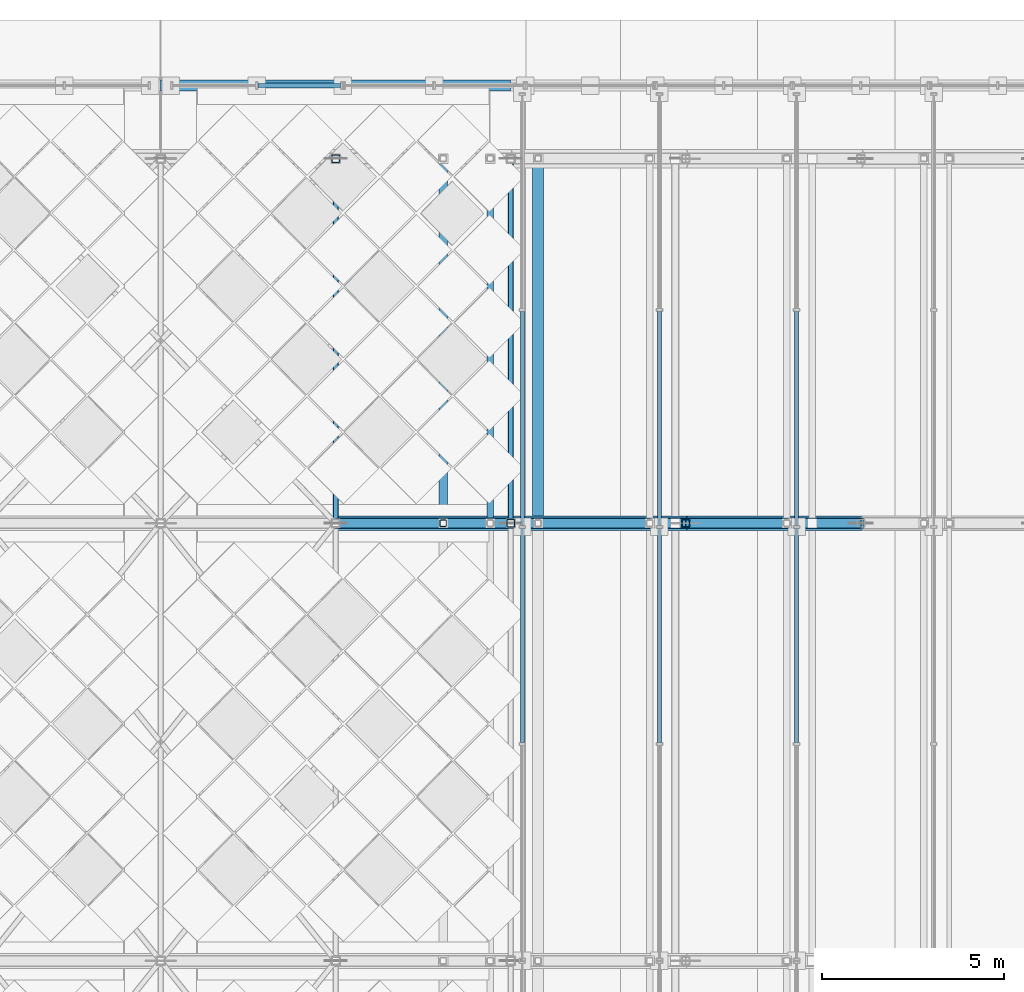
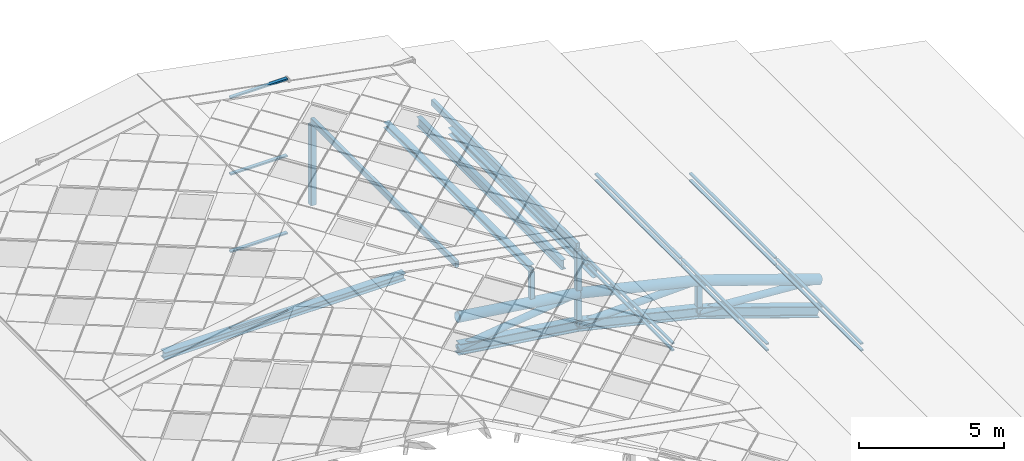
# One storey, part 38 of 117: 34 members, 1 beam, 4 elements without a shape of their own.
"""IFC4 building model written with IfcOpenShell, lengths in metres."""

from ifc_helpers import new_model, si_unit, direction, frame, origin, origin_2d, place, context, subcontext, project, spatial, hollow_rectangle, hollow_circle, i_section, extrude, material, material_profile, profile_set, type_object, element, aggregate, save


model = new_model("IFC4")

# Units and contexts
model_context = context("Model", 3, precision=1e-05, world=origin(), true_north=direction((0.0, 1.0)))
body_context = subcontext(model_context, "Body", "Model", "MODEL_VIEW")
ifc_project = project(units=[si_unit("LENGTHUNIT", "METRE"), si_unit("AREAUNIT", "SQUARE_METRE"), si_unit("VOLUMEUNIT", "CUBIC_METRE"), si_unit("PLANEANGLEUNIT", "RADIAN"), si_unit("MASSUNIT", "GRAM", prefix="KILO")], contexts=[model_context])

# Site, building, storey
site_placement = place(None, origin())
site = spatial("IfcSite", under=ifc_project, at=site_placement, CompositionType="ELEMENT")
building_placement = place(site_placement, origin())
building = spatial("IfcBuilding", under=site, at=building_placement, Name="Merenkruunu Market Hall", CompositionType="ELEMENT")
storey_placement = place(building_placement, frame((0.0, 0.0, 22.800048828125)))
storey = spatial("IfcBuildingStorey", under=building, at=storey_placement, Name="RF", CompositionType="ELEMENT", Elevation=22.800048828125)

# Members
ifc_material_1 = material(Name="Steel S355ML", Category="steel")
ifc_material_profile_1 = material_profile(ifc_material_1, hollow_circle(Radius=0.203125, WallThickness=0.01611328125, at=origin_2d()), Name="CHS 406.4x16")
ifc_profile_set_1 = profile_set([ifc_material_profile_1], Name="Steel S355ML")
member_type_1 = type_object("IfcMemberType", Name="Arch Truss Chord TC02", PredefinedType="CHORD", material=ifc_profile_set_1)
member_1_placement = place(storey_placement, frame((33.60009765625, 99.60009765625, -1.66796875), z_axis=(0.99033759622, 0.0, -0.138677487406), x_axis=(0.0, 1.0, 0.0)))
element("IfcMember", 1, at=member_1_placement, inside=storey, type_object=member_type_1, Name="TRUSS-AT-8-TOP-08", PredefinedType="CHORD", context=body_context, shape_type="SweptSolid", body=[
    extrude(hollow_circle(Radius=0.203125, WallThickness=0.01611328125, at=origin_2d()), origin(), (0.0, 0.0, 1.0), 4.8466796875),
])
member_2_placement = place(storey_placement, frame((38.39990234375, 99.60009765625, -2.340087890625), z_axis=(0.972941974064, 0.0, -0.231049594471), x_axis=(0.0, 1.0, 0.0)))
element("IfcMember", 2, at=member_2_placement, inside=storey, type_object=member_type_1, Name="TRUSS-AT-8-TOP-09", PredefinedType="CHORD", context=body_context, shape_type="SweptSolid", body=[
    extrude(hollow_circle(Radius=0.203125, WallThickness=0.01611328125, at=origin_2d()), origin(), (0.0, 0.0, 1.0), 4.93359375),
])
member_3_placement = place(storey_placement, frame((43.199951171875, 99.60009765625, -3.47998046875), z_axis=(0.946224865418, 0.0, -0.323509666107), x_axis=(0.0, 1.0, 0.0)))
element("IfcMember", 3, at=member_3_placement, inside=storey, type_object=member_type_1, Name="TRUSS-AT-8-TOP-10", PredefinedType="CHORD", context=body_context, shape_type="SweptSolid", body=[
    extrude(hollow_circle(Radius=0.203125, WallThickness=0.01611328125, at=origin_2d()), origin(), (0.0, 0.0, 1.0), 5.07275390625),
])
ifc_material_profile_2 = material_profile(ifc_material_1, i_section(OverallWidth=0.300048828125, OverallDepth=0.449951171875, WebThickness=0.013916015625, FlangeThickness=0.02587890625, FilletRadius=0.027099609375, at=origin_2d()), Name="HEB 450")
ifc_profile_set_2 = profile_set([ifc_material_profile_2], Name="Steel S355ML")
member_type_2 = type_object("IfcMemberType", Name="Arch Truss Chord TC04", PredefinedType="CHORD", material=ifc_profile_set_2)
member_4_placement = place(storey_placement, frame((33.60009765625, 99.60009765625, -2.968017578125), z_axis=(0.99033759622, 0.0, -0.138677487406), x_axis=(0.0, 1.0, 0.0)))
element("IfcMember", 4, at=member_4_placement, inside=storey, type_object=member_type_2, Name="TRUSS-AT-8-BOT-08", PredefinedType="CHORD", context=body_context, shape_type="SweptSolid", body=[
    extrude(i_section(OverallWidth=0.300048828125, OverallDepth=0.449951171875, WebThickness=0.013916015625, FlangeThickness=0.02587890625, FilletRadius=0.027099609375, at=origin_2d()), origin(), (0.0, 0.0, 1.0), 4.8466796875),
])
member_5_placement = place(storey_placement, frame((38.39990234375, 99.60009765625, -3.64013671875), z_axis=(0.972941974064, 0.0, -0.231049594471), x_axis=(0.0, 1.0, 0.0)))
element("IfcMember", 5, at=member_5_placement, inside=storey, type_object=member_type_2, Name="TRUSS-AT-8-BOT-09", PredefinedType="CHORD", context=body_context, shape_type="SweptSolid", body=[
    extrude(i_section(OverallWidth=0.300048828125, OverallDepth=0.449951171875, WebThickness=0.013916015625, FlangeThickness=0.02587890625, FilletRadius=0.027099609375, at=origin_2d()), origin(), (0.0, 0.0, 1.0), 4.93359375),
])
member_6_placement = place(storey_placement, frame((43.199951171875, 99.60009765625, -4.780029296875), z_axis=(0.946224865418, 0.0, -0.323509666107), x_axis=(0.0, 1.0, 0.0)))
element("IfcMember", 6, at=member_6_placement, inside=storey, type_object=member_type_2, Name="TRUSS-AT-8-BOT-10", PredefinedType="CHORD", context=body_context, shape_type="SweptSolid", body=[
    extrude(i_section(OverallWidth=0.300048828125, OverallDepth=0.449951171875, WebThickness=0.013916015625, FlangeThickness=0.02587890625, FilletRadius=0.027099609375, at=origin_2d()), origin(), (0.0, 0.0, 1.0), 5.07275390625),
])

# Curtain wall, members
ifc_material_2 = material(Name="Powder-coated aluminium", Category="aluminium")
curtain_wall_type_1 = type_object("IfcCurtainWallType", Name="Glazed Curtain Wall CW18", PredefinedType="USERDEFINED", material=ifc_material_2)
curtain_wall_1_placement = place(storey_placement, origin())
curtain_wall_1 = element("IfcCurtainWall", 7, at=curtain_wall_1_placement, inside=storey, type_object=curtain_wall_type_1, Name="CW-RF-CWM03-074", ObjectType="GLAZED_FACADE", PredefinedType="USERDEFINED")
ifc_material_profile_3 = material_profile(ifc_material_2, hollow_rectangle(XDim=0.06005859375, YDim=0.139892578125, WallThickness=0.00390625, at=origin_2d()), Name="ALU 60x140x4")
ifc_profile_set_3 = profile_set([ifc_material_profile_3], Name="Powder-coated aluminium")
member_type_3 = type_object("IfcMemberType", Name="Curtain Wall Transom CWT02", PredefinedType="USERDEFINED", material=ifc_profile_set_3)
member_7_placement = place(storey_placement, frame((31.469970703125, 111.60009765625, -8.66015625), z_axis=(1.0, 0.0, 0.0), x_axis=(0.0, 0.0, 1.0)))
member_7 = element("IfcMember", 8, at=member_7_placement, type_object=member_type_3, Name="CW18 transom 2.1", ObjectType="TRANSOM", PredefinedType="USERDEFINED", context=body_context, shape_type="SweptSolid", body=[
    extrude(hollow_rectangle(XDim=0.06005859375, YDim=0.139892578125, WallThickness=0.00390625, at=origin_2d()), origin(), (0.0, 0.0, 1.0), 2.27001953125),
])
member_8_placement = place(storey_placement, frame((31.469970703125, 111.60009765625, -5.43310546875), z_axis=(1.0, 0.0, 0.0), x_axis=(0.0, 0.0, 1.0)))
member_8 = element("IfcMember", 9, at=member_8_placement, type_object=member_type_3, Name="CW18 transom 2.2", ObjectType="TRANSOM", PredefinedType="USERDEFINED", context=body_context, shape_type="SweptSolid", body=[
    extrude(hollow_rectangle(XDim=0.06005859375, YDim=0.139892578125, WallThickness=0.00390625, at=origin_2d()), origin(), (0.0, 0.0, 1.0), 2.27001953125),
])
member_9_placement = place(storey_placement, frame((31.469970703125, 111.60009765625, -2.177001953125), z_axis=(1.0, 0.0, 0.0), x_axis=(0.0, 0.0, 1.0)))
member_9 = element("IfcMember", 10, at=member_9_placement, type_object=member_type_3, Name="CW18 transom 2.3", ObjectType="TRANSOM", PredefinedType="USERDEFINED", context=body_context, shape_type="SweptSolid", body=[
    extrude(hollow_rectangle(XDim=0.06005859375, YDim=0.139892578125, WallThickness=0.00390625, at=origin_2d()), origin(), (0.0, 0.0, 1.0), 2.27001953125),
])
member_10_placement = place(storey_placement, frame((31.469970703125, 111.60009765625, 1.050048828125), z_axis=(1.0, 0.0, 0.0), x_axis=(0.0, 0.0, 1.0)))
member_10 = element("IfcMember", 11, at=member_10_placement, type_object=member_type_3, Name="CW18 transom 2.4", ObjectType="TRANSOM", PredefinedType="USERDEFINED", context=body_context, shape_type="SweptSolid", body=[
    extrude(hollow_rectangle(XDim=0.06005859375, YDim=0.139892578125, WallThickness=0.00390625, at=origin_2d()), origin(), (0.0, 0.0, 1.0), 2.27001953125),
])
aggregate(curtain_wall_1, [member_7, member_8, member_9, member_10])

curtain_wall_type_2 = type_object("IfcCurtainWallType", Name="Clerestory Curtain Band CL05", PredefinedType="USERDEFINED", material=ifc_material_2)
curtain_wall_2_placement = place(storey_placement, origin())
curtain_wall_2 = element("IfcCurtainWall", 12, at=curtain_wall_2_placement, inside=storey, type_object=curtain_wall_type_2, Name="CW-RF-CWM04-104", ObjectType="CLERESTORY_BAND", PredefinedType="USERDEFINED")
ifc_material_profile_4 = material_profile(ifc_material_2, hollow_rectangle(XDim=0.06005859375, YDim=0.110107421875, WallThickness=0.00390625, at=origin_2d()), Name="ALU 60x110x4")
ifc_profile_set_4 = profile_set([ifc_material_profile_4], Name="Powder-coated aluminium")
member_type_4 = type_object("IfcMemberType", Name="Curtain Wall Transom CWT03", PredefinedType="USERDEFINED", material=ifc_profile_set_4)
member_11_placement = place(storey_placement, frame((46.239990234375, 105.4150390625, -3.85205078125), z_axis=(0.0, -1.0, 0.0), x_axis=(0.0, 0.0, 1.0)))
member_11 = element("IfcMember", 13, at=member_11_placement, type_object=member_type_4, Name="CL05 transom 2.1", ObjectType="TRANSOM", PredefinedType="USERDEFINED", context=body_context, shape_type="SweptSolid", body=[
    extrude(hollow_rectangle(XDim=0.06005859375, YDim=0.110107421875, WallThickness=0.00390625, at=origin_2d()), origin(), (0.0, 0.0, 1.0), 5.880126953125),
])
member_12_placement = place(storey_placement, frame((46.239990234375, 105.4150390625, -3.56396484375), z_axis=(0.0, -1.0, 0.0), x_axis=(0.0, 0.0, 1.0)))
member_12 = element("IfcMember", 14, at=member_12_placement, type_object=member_type_4, Name="CL05 transom 2.2", ObjectType="TRANSOM", PredefinedType="USERDEFINED", context=body_context, shape_type="SweptSolid", body=[
    extrude(hollow_rectangle(XDim=0.06005859375, YDim=0.110107421875, WallThickness=0.00390625, at=origin_2d()), origin(), (0.0, 0.0, 1.0), 5.880126953125),
])
member_13_placement = place(storey_placement, frame((46.239990234375, 99.465087890625, -3.85205078125), z_axis=(0.0, -1.0, 0.0), x_axis=(0.0, 0.0, 1.0)))
member_13 = element("IfcMember", 15, at=member_13_placement, type_object=member_type_4, Name="CL05 transom 3.1", ObjectType="TRANSOM", PredefinedType="USERDEFINED", context=body_context, shape_type="SweptSolid", body=[
    extrude(hollow_rectangle(XDim=0.06005859375, YDim=0.110107421875, WallThickness=0.00390625, at=origin_2d()), origin(), (0.0, 0.0, 1.0), 5.880126953125),
])
member_14_placement = place(storey_placement, frame((46.239990234375, 99.465087890625, -3.56396484375), z_axis=(0.0, -1.0, 0.0), x_axis=(0.0, 0.0, 1.0)))
member_14 = element("IfcMember", 16, at=member_14_placement, type_object=member_type_4, Name="CL05 transom 3.2", ObjectType="TRANSOM", PredefinedType="USERDEFINED", context=body_context, shape_type="SweptSolid", body=[
    extrude(hollow_rectangle(XDim=0.06005859375, YDim=0.110107421875, WallThickness=0.00390625, at=origin_2d()), origin(), (0.0, 0.0, 1.0), 5.880126953125),
])
aggregate(curtain_wall_2, [member_11, member_12, member_13, member_14])

curtain_wall_3_placement = place(storey_placement, origin())
curtain_wall_3 = element("IfcCurtainWall", 17, at=curtain_wall_3_placement, inside=storey, type_object=curtain_wall_type_2, Name="CW-RF-CWM04-112", ObjectType="CLERESTORY_BAND", PredefinedType="USERDEFINED")
member_15_placement = place(storey_placement, frame((42.47998046875, 105.4150390625, -2.531982421875), z_axis=(0.0, -1.0, 0.0), x_axis=(0.0, 0.0, 1.0)))
member_15 = element("IfcMember", 18, at=member_15_placement, type_object=member_type_4, Name="CL05 transom 2.1", ObjectType="TRANSOM", PredefinedType="USERDEFINED", context=body_context, shape_type="SweptSolid", body=[
    extrude(hollow_rectangle(XDim=0.06005859375, YDim=0.110107421875, WallThickness=0.00390625, at=origin_2d()), origin(), (0.0, 0.0, 1.0), 5.880126953125),
])
member_16_placement = place(storey_placement, frame((42.47998046875, 105.4150390625, -2.26513671875), z_axis=(0.0, -1.0, 0.0), x_axis=(0.0, 0.0, 1.0)))
member_16 = element("IfcMember", 19, at=member_16_placement, type_object=member_type_4, Name="CL05 transom 2.2", ObjectType="TRANSOM", PredefinedType="USERDEFINED", context=body_context, shape_type="SweptSolid", body=[
    extrude(hollow_rectangle(XDim=0.06005859375, YDim=0.110107421875, WallThickness=0.00390625, at=origin_2d()), origin(), (0.0, 0.0, 1.0), 5.880126953125),
])
member_17_placement = place(storey_placement, frame((42.47998046875, 99.465087890625, -2.531982421875), z_axis=(0.0, -1.0, 0.0), x_axis=(0.0, 0.0, 1.0)))
member_17 = element("IfcMember", 20, at=member_17_placement, type_object=member_type_4, Name="CL05 transom 3.1", ObjectType="TRANSOM", PredefinedType="USERDEFINED", context=body_context, shape_type="SweptSolid", body=[
    extrude(hollow_rectangle(XDim=0.06005859375, YDim=0.110107421875, WallThickness=0.00390625, at=origin_2d()), origin(), (0.0, 0.0, 1.0), 5.880126953125),
])
member_18_placement = place(storey_placement, frame((42.47998046875, 99.465087890625, -2.26513671875), z_axis=(0.0, -1.0, 0.0), x_axis=(0.0, 0.0, 1.0)))
member_18 = element("IfcMember", 21, at=member_18_placement, type_object=member_type_4, Name="CL05 transom 3.2", ObjectType="TRANSOM", PredefinedType="USERDEFINED", context=body_context, shape_type="SweptSolid", body=[
    extrude(hollow_rectangle(XDim=0.06005859375, YDim=0.110107421875, WallThickness=0.00390625, at=origin_2d()), origin(), (0.0, 0.0, 1.0), 5.880126953125),
])
aggregate(curtain_wall_3, [member_15, member_16, member_17, member_18])

curtain_wall_4_placement = place(storey_placement, origin())
curtain_wall_4 = element("IfcCurtainWall", 22, at=curtain_wall_4_placement, inside=storey, type_object=curtain_wall_type_2, Name="CW-RF-CWM04-120", ObjectType="CLERESTORY_BAND", PredefinedType="USERDEFINED")
member_19_placement = place(storey_placement, frame((38.719970703125, 105.4150390625, -1.212158203125), z_axis=(0.0, -1.0, 0.0), x_axis=(0.0, 0.0, 1.0)))
member_19 = element("IfcMember", 23, at=member_19_placement, type_object=member_type_4, Name="CL05 transom 2.1", ObjectType="TRANSOM", PredefinedType="USERDEFINED", context=body_context, shape_type="SweptSolid", body=[
    extrude(hollow_rectangle(XDim=0.06005859375, YDim=0.110107421875, WallThickness=0.00390625, at=origin_2d()), origin(), (0.0, 0.0, 1.0), 5.880126953125),
])
member_20_placement = place(storey_placement, frame((38.719970703125, 105.4150390625, -0.924072265625), z_axis=(0.0, -1.0, 0.0), x_axis=(0.0, 0.0, 1.0)))
member_20 = element("IfcMember", 24, at=member_20_placement, type_object=member_type_4, Name="CL05 transom 2.2", ObjectType="TRANSOM", PredefinedType="USERDEFINED", context=body_context, shape_type="SweptSolid", body=[
    extrude(hollow_rectangle(XDim=0.06005859375, YDim=0.110107421875, WallThickness=0.00390625, at=origin_2d()), origin(), (0.0, 0.0, 1.0), 5.880126953125),
])
member_21_placement = place(storey_placement, frame((38.719970703125, 99.465087890625, -1.212158203125), z_axis=(0.0, -1.0, 0.0), x_axis=(0.0, 0.0, 1.0)))
member_21 = element("IfcMember", 25, at=member_21_placement, type_object=member_type_4, Name="CL05 transom 3.1", ObjectType="TRANSOM", PredefinedType="USERDEFINED", context=body_context, shape_type="SweptSolid", body=[
    extrude(hollow_rectangle(XDim=0.06005859375, YDim=0.110107421875, WallThickness=0.00390625, at=origin_2d()), origin(), (0.0, 0.0, 1.0), 5.880126953125),
])
member_22_placement = place(storey_placement, frame((38.719970703125, 99.465087890625, -0.924072265625), z_axis=(0.0, -1.0, 0.0), x_axis=(0.0, 0.0, 1.0)))
member_22 = element("IfcMember", 26, at=member_22_placement, type_object=member_type_4, Name="CL05 transom 3.2", ObjectType="TRANSOM", PredefinedType="USERDEFINED", context=body_context, shape_type="SweptSolid", body=[
    extrude(hollow_rectangle(XDim=0.06005859375, YDim=0.110107421875, WallThickness=0.00390625, at=origin_2d()), origin(), (0.0, 0.0, 1.0), 5.880126953125),
])
aggregate(curtain_wall_4, [member_19, member_20, member_21, member_22])

# Members
ifc_material_profile_5 = material_profile(ifc_material_1, hollow_circle(Radius=0.136474609375, WallThickness=0.012451171875, at=origin_2d()), Name="CHS 273x12.5")
ifc_profile_set_5 = profile_set([ifc_material_profile_5], Name="Steel S355ML")
member_type_5 = type_object("IfcMemberType", Name="Diagonal Sway Brace BR02", PredefinedType="BRACE", material=ifc_profile_set_5)
member_23_placement = place(storey_placement, frame((33.60009765625, 99.60009765625, -2.968017578125), z_axis=(0.99155084109, 0.0, 0.129718655304), x_axis=(0.0, 1.0, 0.0)))
element("IfcMember", 27, at=member_23_placement, inside=storey, type_object=member_type_5, Name="TRUSS-AT-8-DIAG-08", PredefinedType="BRACE", context=body_context, shape_type="SweptSolid", body=[
    extrude(hollow_circle(Radius=0.136474609375, WallThickness=0.012451171875, at=origin_2d()), origin(), (0.0, 0.0, 1.0), 4.8408203125),
])
member_24_placement = place(storey_placement, frame((38.39990234375, 99.60009765625, -3.64013671875), z_axis=(0.999443834494, 0.0, 0.033346989239), x_axis=(0.0, 1.0, 0.0)))
element("IfcMember", 28, at=member_24_placement, inside=storey, type_object=member_type_5, Name="TRUSS-AT-8-DIAG-09", PredefinedType="BRACE", context=body_context, shape_type="SweptSolid", body=[
    extrude(hollow_circle(Radius=0.136474609375, WallThickness=0.012451171875, at=origin_2d()), origin(), (0.0, 0.0, 1.0), 4.802734375),
])
member_25_placement = place(storey_placement, frame((43.199951171875, 99.60009765625, -4.780029296875), z_axis=(0.997485156704, 0.0, -0.070875680989), x_axis=(0.0, 1.0, 0.0)))
element("IfcMember", 29, at=member_25_placement, inside=storey, type_object=member_type_5, Name="TRUSS-AT-8-DIAG-10", PredefinedType="BRACE", context=body_context, shape_type="SweptSolid", body=[
    extrude(hollow_circle(Radius=0.136474609375, WallThickness=0.012451171875, at=origin_2d()), origin(), (0.0, 0.0, 1.0), 4.812255859375),
])
ifc_material_3 = material(Name="Steel S355J2", Category="steel")
ifc_material_profile_6 = material_profile(ifc_material_3, hollow_rectangle(XDim=0.219970703125, YDim=0.219970703125, WallThickness=0.012451171875, InnerFilletRadius=0.012451171875, OuterFilletRadius=0.02490234375, at=origin_2d()), Name="SHS 220x220x12.5")
ifc_profile_set_6 = profile_set([ifc_material_profile_6], Name="Steel S355J2")
member_type_6 = type_object("IfcMemberType", Name="Diagonal Sway Brace BR04", PredefinedType="BRACE", material=ifc_profile_set_6)
member_26_placement = place(storey_placement, frame((38.39990234375, 99.60009765625, -3.64013671875), z_axis=(0.0, 0.0, 1.0), x_axis=(1.0, 0.0, 0.0)))
element("IfcMember", 30, at=member_26_placement, inside=storey, type_object=member_type_6, Name="TRUSS-AT-8-POST-08", PredefinedType="BRACE", context=body_context, shape_type="SweptSolid", body=[
    extrude(hollow_rectangle(XDim=0.219970703125, YDim=0.219970703125, WallThickness=0.012451171875, InnerFilletRadius=0.012451171875, OuterFilletRadius=0.02490234375, at=origin_2d()), origin(), (0.0, 0.0, 1.0), 3.1416015625),
])
member_27_placement = place(storey_placement, frame((43.199951171875, 99.60009765625, -4.780029296875), z_axis=(0.0, 0.0, 1.0), x_axis=(1.0, 0.0, 0.0)))
element("IfcMember", 31, at=member_27_placement, inside=storey, type_object=member_type_6, Name="TRUSS-AT-8-POST-09", PredefinedType="BRACE", context=body_context, shape_type="SweptSolid", body=[
    extrude(hollow_rectangle(XDim=0.219970703125, YDim=0.219970703125, WallThickness=0.012451171875, InnerFilletRadius=0.012451171875, OuterFilletRadius=0.02490234375, at=origin_2d()), origin(), (0.0, 0.0, 1.0), 1.300048828125),
])
member_28_placement = place(storey_placement, frame((33.60009765625, 109.60009765625, -2.968017578125), z_axis=(0.0, 0.0, 1.0), x_axis=(1.0, 0.0, 0.0)))
element("IfcMember", 32, at=member_28_placement, inside=storey, type_object=member_type_6, Name="TRUSS-AT-G-POST-07", PredefinedType="BRACE", context=body_context, shape_type="SweptSolid", body=[
    extrude(hollow_rectangle(XDim=0.219970703125, YDim=0.219970703125, WallThickness=0.012451171875, InnerFilletRadius=0.012451171875, OuterFilletRadius=0.02490234375, at=origin_2d()), origin(), (0.0, 0.0, 1.0), 3.3720703125),
])
ifc_material_profile_7 = material_profile(ifc_material_3, hollow_rectangle(XDim=0.179931640625, YDim=0.179931640625, WallThickness=0.010009765625, InnerFilletRadius=0.010009765625, OuterFilletRadius=0.02001953125, at=origin_2d()), Name="SHS 180x180x10")
ifc_profile_set_7 = profile_set([ifc_material_profile_7], Name="Steel S355J2")
member_type_7 = type_object("IfcMemberType", Name="Diagonal Sway Brace BR05", PredefinedType="BRACE", material=ifc_profile_set_7)
member_29_placement = place(storey_placement, frame((36.550048828125, 99.60009765625, -1.889892578125), z_axis=(0.0, 0.0, 1.0), x_axis=(1.0, 0.0, 0.0)))
element("IfcMember", 33, at=member_29_placement, inside=storey, type_object=member_type_7, Name="TRUSS-AT-8-RISER-E6-2", PredefinedType="BRACE", context=body_context, shape_type="SweptSolid", body=[
    extrude(hollow_rectangle(XDim=0.179931640625, YDim=0.179931640625, WallThickness=0.010009765625, InnerFilletRadius=0.010009765625, OuterFilletRadius=0.02001953125, at=origin_2d()), origin(), (0.0, 0.0, 1.0), 1.12841796875),
])

# Beam
ifc_material_profile_8 = material_profile(ifc_material_3, i_section(OverallWidth=0.300048828125, OverallDepth=0.2900390625, WebThickness=0.008544921875, FlangeThickness=0.013916015625, FilletRadius=0.027099609375, at=origin_2d()), Name="HEA 300")
ifc_profile_set_8 = profile_set([ifc_material_profile_8], Name="Steel S355J2")
beam_type = type_object("IfcBeamType", Name="Primary Floor Girder B09", PredefinedType="BEAM", material=ifc_profile_set_8)
beam_placement = place(storey_placement, frame((28.800048828125, 111.60009765625, -8.844970703125), z_axis=(1.0, 0.0, 0.0), x_axis=(0.0, 1.0, 0.0)))
element("IfcBeam", 34, at=beam_placement, inside=storey, type_object=beam_type, Name="BM-RF-B09-1253", PredefinedType="BEAM", context=body_context, shape_type="SweptSolid", body=[
    extrude(i_section(OverallWidth=0.300048828125, OverallDepth=0.2900390625, WebThickness=0.008544921875, FlangeThickness=0.013916015625, FilletRadius=0.027099609375, at=origin_2d()), origin(), (0.0, 0.0, 1.0), 9.599853515625),
])

# Members
ifc_material_profile_9 = material_profile(ifc_material_1, hollow_rectangle(XDim=0.14990234375, YDim=0.25, WallThickness=0.010009765625, InnerFilletRadius=0.010009765625, OuterFilletRadius=0.02001953125, at=origin_2d()), Name="RHS 250x150x10")
ifc_profile_set_9 = profile_set([ifc_material_profile_9], Name="Steel S355ML")
member_type_8 = type_object("IfcMemberType", Name="Roof Purlin Rafter PR04", PredefinedType="PURLIN", material=ifc_profile_set_9)
for number, where, z_axis, x_axis, name in (
    (35, (38.39990234375, 99.60009765625, -0.35546875), (0.0, 1.0, 0.0), (-1.0, 0.0, 0.0), "MEM-CROWN-EAVE-099"),
    (36, (33.60009765625, 99.60009765625, 0.546875), (0.0, 1.0, 0.0), (-1.0, 0.0, 0.0), "MEM-CROWN-MID-100"),
):
    element("IfcMember", number, at=place(storey_placement, frame(where, z_axis=z_axis, x_axis=x_axis)), inside=storey, type_object=member_type_8, Name=name, PredefinedType="PURLIN", context=body_context, shape_type="SweptSolid", body=[
        extrude(hollow_rectangle(XDim=0.14990234375, YDim=0.25, WallThickness=0.010009765625, InnerFilletRadius=0.010009765625, OuterFilletRadius=0.02001953125, at=origin_2d()), origin(), (0.0, 0.0, 1.0), 10.0),
    ])
ifc_material_profile_10 = material_profile(ifc_material_1, i_section(OverallWidth=0.300048828125, OverallDepth=0.2900390625, WebThickness=0.008544921875, FlangeThickness=0.013916015625, FilletRadius=0.027099609375, at=origin_2d()), Name="HEA 300")
ifc_profile_set_10 = profile_set([ifc_material_profile_10], Name="Steel S355ML")
member_type_9 = type_object("IfcMemberType", Name="Roof Purlin Rafter PR07", PredefinedType="PURLIN", material=ifc_profile_set_10)
member_30_placement = place(storey_placement, frame((39.14990234375, 99.60009765625, -1.789306640625), z_axis=(0.0, 1.0, 0.0), x_axis=(-1.0, 0.0, 0.0)))
element("IfcMember", 37, at=member_30_placement, inside=storey, type_object=member_type_9, Name="MEM-RF-PURL-E-160", PredefinedType="PURLIN", context=body_context, shape_type="SweptSolid", body=[
    extrude(i_section(OverallWidth=0.300048828125, OverallDepth=0.2900390625, WebThickness=0.008544921875, FlangeThickness=0.013916015625, FilletRadius=0.027099609375, at=origin_2d()), origin(), (0.0, 0.0, 1.0), 10.0),
])
ifc_material_profile_11 = material_profile(ifc_material_1, i_section(OverallWidth=0.239990234375, OverallDepth=0.22998046875, WebThickness=0.007568359375, FlangeThickness=0.011962890625, FilletRadius=0.02099609375, at=origin_2d()), Name="HEA 240")
ifc_profile_set_11 = profile_set([ifc_material_profile_11], Name="Steel S355ML")
member_type_10 = type_object("IfcMemberType", Name="Roof Purlin Rafter PR08", PredefinedType="PURLIN", material=ifc_profile_set_11)
member_31_placement = place(storey_placement, frame((36.550048828125, 99.60009765625, -0.62841796875), z_axis=(0.0, 1.0, 0.0), x_axis=(-1.0, 0.0, 0.0)))
element("IfcMember", 38, at=member_31_placement, inside=storey, type_object=member_type_10, Name="MEM-RF-PURL-E-192", PredefinedType="PURLIN", context=body_context, shape_type="SweptSolid", body=[
    extrude(i_section(OverallWidth=0.239990234375, OverallDepth=0.22998046875, WebThickness=0.007568359375, FlangeThickness=0.011962890625, FilletRadius=0.02099609375, at=origin_2d()), origin(), (0.0, 0.0, 1.0), 10.0),
])
ifc_material_profile_12 = material_profile(ifc_material_1, i_section(OverallWidth=0.179931640625, OverallDepth=0.39990234375, WebThickness=0.008544921875, FlangeThickness=0.013427734375, FilletRadius=0.02099609375, at=origin_2d()), Name="IPE 400")
ifc_profile_set_12 = profile_set([ifc_material_profile_12], Name="Steel S355ML")
member_type_11 = type_object("IfcMemberType", Name="Roof Purlin Rafter PR09", PredefinedType="PURLIN", material=ifc_profile_set_12)
member_32_placement = place(storey_placement, frame((37.840087890625, 99.60009765625, -0.947021484375), z_axis=(0.0, 1.0, 0.0), x_axis=(-1.0, 0.0, 0.0)))
element("IfcMember", 39, at=member_32_placement, inside=storey, type_object=member_type_11, Name="MEM-RF-PURL-E-176", PredefinedType="PURLIN", context=body_context, shape_type="SweptSolid", body=[
    extrude(i_section(OverallWidth=0.179931640625, OverallDepth=0.39990234375, WebThickness=0.008544921875, FlangeThickness=0.013427734375, FilletRadius=0.02099609375, at=origin_2d()), origin(), (0.0, 0.0, 1.0), 10.0),
])

save(model, "model.ifc")
